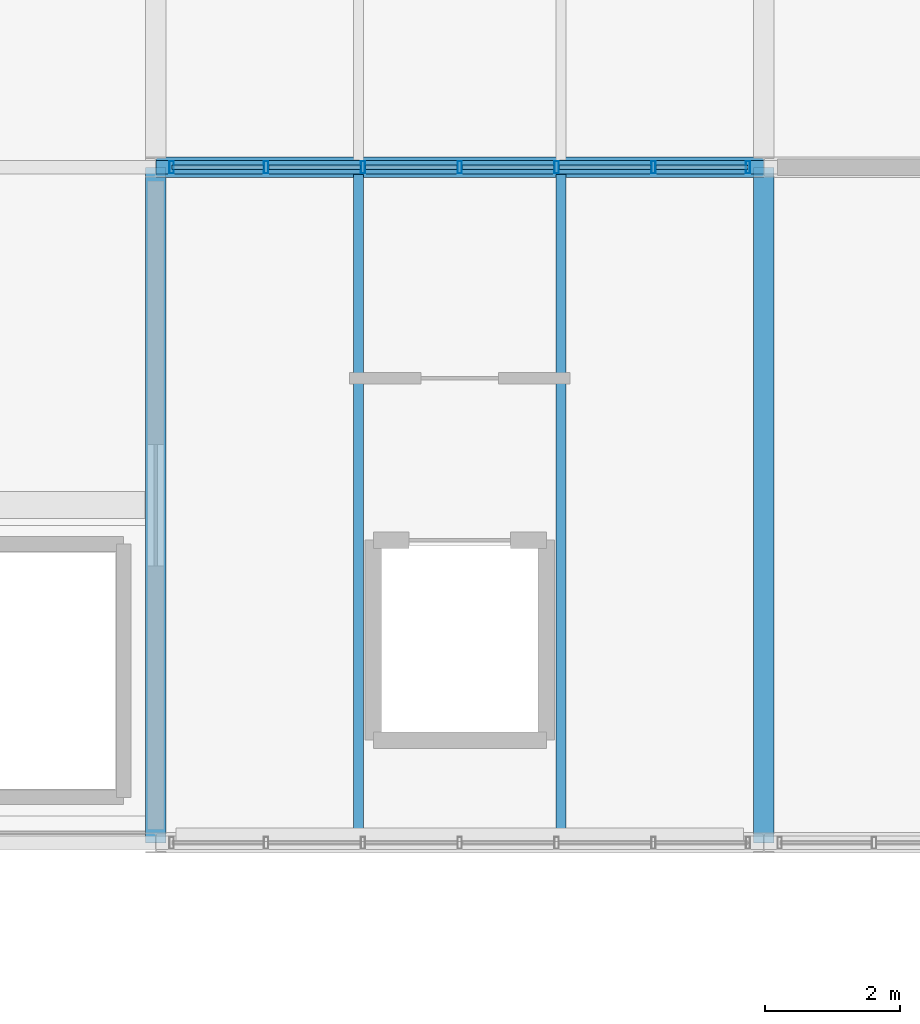
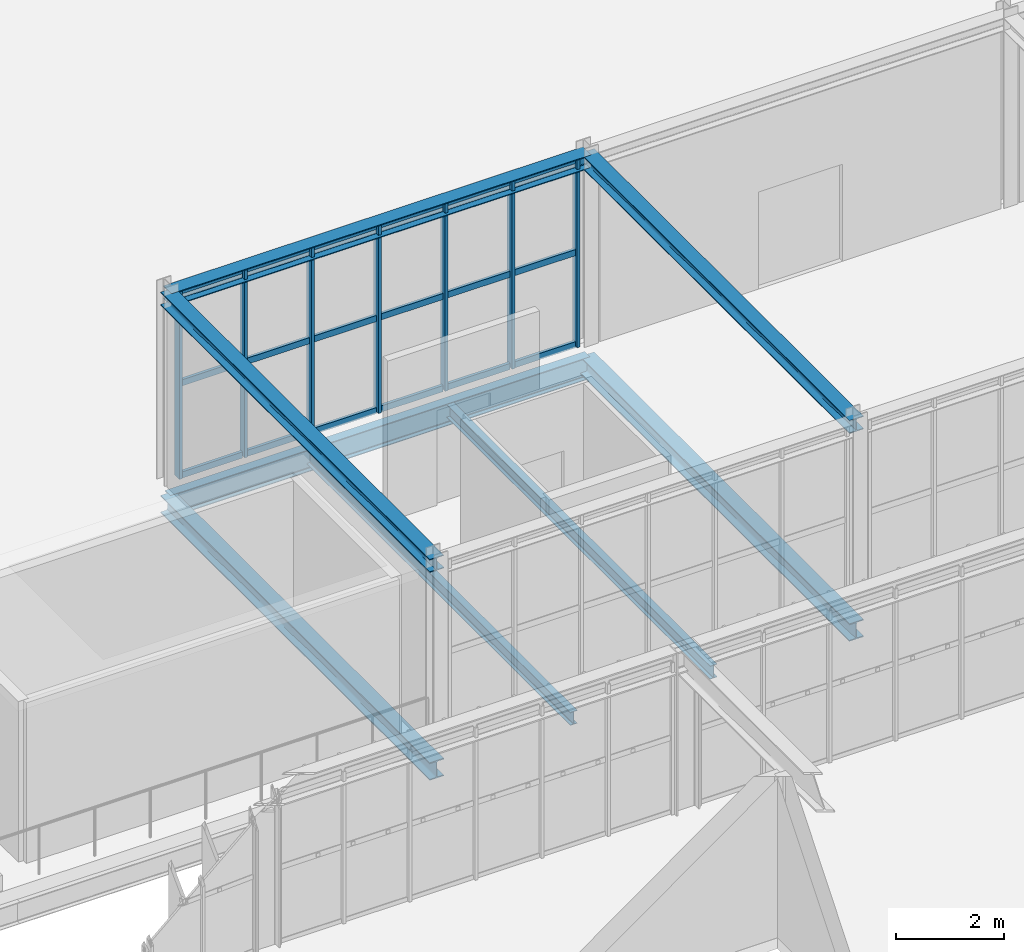
# One storey, part 60 of 152: 25 members, 8 beams, 1 element without a shape of its own.
"""IFC4 building model written with IfcOpenShell, lengths in metres."""

import ifcopenshell
import ifcopenshell.guid

model = None  # the IFC model being written
_history = None  # IfcOwnerHistory: only IFC2X3 demands one
_inside = {}  # id of a spatial element -> (the spatial element, [elements in it])
_under = {}  # id of a project, library or spatial element -> (it, [spatial elements below it])
_declared = {}  # id of a project -> (the project, [libraries it declares])
_typed = {}  # id of a type object -> (the type object, [elements of that type])
_made_of = {}  # id of a material, layer set ... -> (it, [elements and type objects made of it])


def new_model(schema):
    """Start an empty IFC model of exactly this schema.

    Asked for "IFC4X3", IfcOpenShell would pick the latest addendum, in which some entities
    have other attributes; the version numbers below select the first issue.
    IFC2X3 requires an IfcOwnerHistory on every rooted entity: one is made here for all.
    """
    global model, _history
    if schema == "IFC4X3":
        model = ifcopenshell.file(schema_version=(4, 3, 0, 0))
    else:
        model = ifcopenshell.file(schema=schema)
    _inside.clear()
    _under.clear()
    _declared.clear()
    _typed.clear()
    _made_of.clear()
    _history = None
    if model.schema == "IFC2X3":
        org = make("IfcOrganization", Name="unknown")
        user = make(
            "IfcPersonAndOrganization",
            ThePerson=make("IfcPerson", FamilyName="unknown"),
            TheOrganization=org,
        )
        app = make(
            "IfcApplication",
            ApplicationDeveloper=org,
            Version="unknown",
            ApplicationFullName="unknown",
            ApplicationIdentifier="unknown",
        )
        _history = make(
            "IfcOwnerHistory",
            OwningUser=user,
            OwningApplication=app,
            ChangeAction="ADDED",
            CreationDate=0,
        )
    return model


def make(cls, **values):
    """One entity of the class cls with the attributes given. An attribute that is None is left unset."""
    return model.create_entity(
        cls, **{name: value for name, value in values.items() if value is not None}
    )


def rooted(cls, **values):
    """An entity with a GlobalId (a new one), such as an element, a storey or a relation."""
    return make(cls, GlobalId=ifcopenshell.guid.new(), OwnerHistory=_history, **values)


def si_unit(unit_type, name, prefix=None):
    """IfcSIUnit, for example si_unit("LENGTHUNIT", "METRE", prefix="MILLI")."""
    return make("IfcSIUnit", UnitType=unit_type, Prefix=prefix, Name=name)


def derived_unit(unit_type, elements):
    """IfcDerivedUnit: a product of units, each with its exponent."""
    return make(
        "IfcDerivedUnit",
        Elements=[
            make("IfcDerivedUnitElement", Unit=unit, Exponent=power)
            for unit, power in elements
        ],
        UnitType=unit_type,
    )


def assignment(units):
    """IfcUnitAssignment: the units of a project."""
    return None if units is None else make("IfcUnitAssignment", Units=units)


def point(xyz):
    """IfcCartesianPoint."""
    return None if xyz is None else make("IfcCartesianPoint", Coordinates=xyz)


def direction(xyz):
    """IfcDirection."""
    return None if xyz is None else make("IfcDirection", DirectionRatios=xyz)


def frame(location, z_axis=None, x_axis=None):
    """IfcAxis2Placement3D, a coordinate frame: its origin and axes. An axis left out is left unset."""
    return make(
        "IfcAxis2Placement3D",
        Location=point(location),
        Axis=direction(z_axis),
        RefDirection=direction(x_axis),
    )


def frame_2d(location, x_axis=None):
    """IfcAxis2Placement2D, a coordinate frame in the plane: its origin and x axis."""
    return make(
        "IfcAxis2Placement2D", Location=point(location), RefDirection=direction(x_axis)
    )


def origin():
    """The frame at (0, 0, 0) with its axes left unset."""
    return frame((0.0, 0.0, 0.0))


def origin_2d():
    """The frame at (0, 0) in the plane with its x axis left unset."""
    return frame_2d((0.0, 0.0))


def place(relative_to, where):
    """IfcLocalPlacement: puts the frame where relative to a parent placement (None: the world)."""
    return make(
        "IfcLocalPlacement", PlacementRelTo=relative_to, RelativePlacement=where
    )


def context(
    kind, dimensions, precision=None, world=None, true_north=None, identifier=None
):
    """IfcGeometricRepresentationContext, for example the 3D "Model" context."""
    return make(
        "IfcGeometricRepresentationContext",
        ContextIdentifier=identifier,
        ContextType=kind,
        CoordinateSpaceDimension=dimensions,
        Precision=precision,
        WorldCoordinateSystem=world,
        TrueNorth=true_north,
    )


def subcontext(parent, identifier, kind, view, scale=None):
    """IfcGeometricRepresentationSubContext, for example "Body" below "Model"."""
    return make(
        "IfcGeometricRepresentationSubContext",
        ContextIdentifier=identifier,
        ContextType=kind,
        ParentContext=parent,
        TargetScale=scale,
        TargetView=view,
    )


def project(units=None, contexts=None):
    """IfcProject with its units and contexts."""
    return rooted(
        "IfcProject",
        Name="project",
        RepresentationContexts=contexts,
        UnitsInContext=assignment(units),
    )


def spatial(cls, under=None, at=None, **own):
    """A site, building, storey or space (cls), placed at a placement, below another one or the project."""
    s = rooted(cls, ObjectPlacement=at, **own)
    if under is not None:
        _under.setdefault(under.id(), (under, []))[1].append(s)
    return s


def profile(cls, at=None, kind="AREA", **sizes):
    """A parametric profile (cls). Its sizes go by their IFC names, for example OverallWidth=200.0."""
    return make(cls, ProfileType=kind, Position=at, **sizes)


def hollow_rectangle(**sizes):
    """IfcRectangleHollowProfileDef."""
    return profile("IfcRectangleHollowProfileDef", **sizes)


def i_section(**sizes):
    """IfcIShapeProfileDef."""
    return profile("IfcIShapeProfileDef", **sizes)


def extrude(swept, where, along, depth):
    """IfcExtrudedAreaSolid: the profile swept, set in the frame where, extruded along a direction by depth."""
    return make(
        "IfcExtrudedAreaSolid",
        SweptArea=swept,
        Position=where,
        ExtrudedDirection=direction(along),
        Depth=depth,
    )


def shape(context_of_items, identifier, shape_type, items):
    """IfcShapeRepresentation: the items that make up one representation, for example the "Body"."""
    return make(
        "IfcShapeRepresentation",
        ContextOfItems=context_of_items,
        RepresentationIdentifier=identifier,
        RepresentationType=shape_type,
        Items=items,
    )


def material(Name=None, Category=None):
    """IfcMaterial."""
    return make("IfcMaterial", Name=Name, Category=Category)


def material_profile(
    of_material, cross_section, Name=None, Category=None, Priority=None
):
    """IfcMaterialProfile: a cross section and its material."""
    return make(
        "IfcMaterialProfile",
        Name=Name,
        Material=of_material,
        Profile=cross_section,
        Priority=Priority,
        Category=Category,
    )


def profile_set(profiles, Name=None, composite=None):
    """IfcMaterialProfileSet."""
    return make(
        "IfcMaterialProfileSet",
        Name=Name,
        MaterialProfiles=profiles,
        CompositeProfile=composite,
    )


def made_of(thing, what):
    """Note that an element or type object is made of a material, layer set ...; save() writes the relation."""
    if what is not None:
        _made_of.setdefault(what.id(), (what, []))[1].append(thing)
    return thing


def type_object(cls, material=None, **own):
    """A type object (cls), such as IfcWallType, which elements share."""
    return made_of(rooted(cls, **own), material)


def element(
    cls,
    number,
    at=None,
    inside=None,
    cuts=None,
    type_object=None,
    material=None,
    context=None,
    identifier="Body",
    shape_type=None,
    held_by="IfcProductDefinitionShape",
    body=None,
    shapes=None,
    **own,
):
    """One element of the class cls, such as IfcWall. Its Tag is "e" and its number.

    at: its placement. inside: the storey or other place that contains it. cuts: it is an
    opening in that element (IfcRelVoidsElement). A single representation is given by context,
    identifier, shape_type and body (its items); several are given by shapes. held_by: the class
    of the entity that holds the representations. save() writes the other relations.
    """
    e = rooted(cls, Tag="e%d" % number, ObjectPlacement=at, **own)
    if body is not None:
        shapes = [shape(context, identifier, shape_type, body)]
    if shapes is not None:
        e.Representation = make(held_by, Representations=shapes)
    if inside is not None:
        _inside.setdefault(inside.id(), (inside, []))[1].append(e)
    if cuts is not None:
        rooted(
            "IfcRelVoidsElement", RelatingBuildingElement=cuts, RelatedOpeningElement=e
        )
    if type_object is not None:
        _typed.setdefault(type_object.id(), (type_object, []))[1].append(e)
    return made_of(e, material)


def aggregate(whole, parts):
    """IfcRelAggregates: a whole, such as a stair, and the parts it consists of."""
    return rooted("IfcRelAggregates", RelatingObject=whole, RelatedObjects=parts)


def save(model, path):
    """Write the relations noted so far, then the file.

    IfcRelAggregates (storeys below a building ...), IfcRelContainedInSpatialStructure (elements
    in a storey), IfcRelDefinesByType, IfcRelAssociatesMaterial and IfcRelDeclares: one each for
    every whole, place, type object, material and project.
    """
    for whole, parts in _under.values():
        aggregate(whole, parts)
    for where, things in _inside.values():
        rooted(
            "IfcRelContainedInSpatialStructure",
            RelatedElements=things,
            RelatingStructure=where,
        )
    for kind, things in _typed.values():
        rooted("IfcRelDefinesByType", RelatedObjects=things, RelatingType=kind)
    for what, things in _made_of.values():
        rooted("IfcRelAssociatesMaterial", RelatedObjects=things, RelatingMaterial=what)
    for by, libraries in _declared.values():
        rooted("IfcRelDeclares", RelatingContext=by, RelatedDefinitions=libraries)
    model.write(path)


model = new_model("IFC4")

# Units and contexts
model_context = context("Model", 3, precision=1e-05, world=origin(), true_north=direction((0.0, 1.0)))
body_context = subcontext(model_context, "Body", "Model", "MODEL_VIEW")
ifc_project = project(units=[si_unit("LENGTHUNIT", "METRE"), si_unit("AREAUNIT", "SQUARE_METRE"), si_unit("VOLUMEUNIT", "CUBIC_METRE"), si_unit("PLANEANGLEUNIT", "RADIAN"), si_unit("MASSUNIT", "GRAM", prefix="KILO"), si_unit("THERMODYNAMICTEMPERATUREUNIT", "KELVIN"), si_unit("TIMEUNIT", "SECOND"), derived_unit("THERMALTRANSMITTANCEUNIT", [(si_unit("MASSUNIT", "GRAM", prefix="KILO"), 1), (si_unit("THERMODYNAMICTEMPERATUREUNIT", "KELVIN"), -1), (si_unit("TIMEUNIT", "SECOND"), -3)])], contexts=[model_context])

# Site, building, storey
site_placement = place(None, origin())
site = spatial("IfcSite", under=ifc_project, at=site_placement, CompositionType="ELEMENT")
building_placement = place(site_placement, origin())
building = spatial("IfcBuilding", under=site, at=building_placement, Name="Cambertide Market Hall", CompositionType="ELEMENT")
storey_placement = place(building_placement, frame((0.0, 0.0, 5.39990234375)))
storey = spatial("IfcBuildingStorey", under=building, at=storey_placement, Name="L02", CompositionType="ELEMENT", Elevation=5.39990234375)

# Curtain wall, members
ifc_material_1 = material(Name="Marine Anodized Aluminium 6063-T6 AA25", Category="aluminium")
curtain_wall_type = type_object("IfcCurtainWallType", Name="Herb Tea Pavilion Terrace Glazed Wall", PredefinedType="USERDEFINED", material=ifc_material_1)
curtain_wall_placement = place(storey_placement, origin())
curtain_wall = element("IfcCurtainWall", 1, at=curtain_wall_placement, inside=storey, type_object=curtain_wall_type, Name="Level 2 Curtain Wall CW-V2PAV-N-4", ObjectType="UNITIZED CURTAIN WALL", PredefinedType="USERDEFINED")
ifc_material_2 = material(Name="Champagne Marine Anodized Aluminium 6063-T6 AA25", Category="aluminium")
ifc_material_profile_1 = material_profile(ifc_material_2, hollow_rectangle(XDim=0.06494140625, YDim=0.179931640625, WallThickness=0.00390625, at=origin_2d()), Name="ALU MULLION 65x180")
ifc_profile_set_1 = profile_set([ifc_material_profile_1], Name="Champagne Marine Anodized Aluminium 6063-T6 AA25")
member_type_1 = type_object("IfcMemberType", Name="Curtain Wall Mullion ALU MULLION 65x180", PredefinedType="MULLION", material=ifc_profile_set_1)
member_1_placement = place(storey_placement, frame((48.235107421875, 106.0, 0.0), z_axis=(0.0, 0.0, 1.0), x_axis=(1.0, 0.0, 0.0)))
member_1 = element("IfcMember", 2, at=member_1_placement, type_object=member_type_1, Name="CW-V2PAV-N-4 Mullion 1", PredefinedType="MULLION", context=body_context, shape_type="SweptSolid", body=[
    extrude(hollow_rectangle(XDim=0.06494140625, YDim=0.179931640625, WallThickness=0.00390625, at=origin_2d()), origin(), (0.0, 0.0, 1.0), 4.25),
])
member_2_placement = place(storey_placement, frame((49.63330078125, 106.0, 0.0), z_axis=(0.0, 0.0, 1.0), x_axis=(1.0, 0.0, 0.0)))
member_2 = element("IfcMember", 3, at=member_2_placement, type_object=member_type_1, Name="CW-V2PAV-N-4 Mullion 2", PredefinedType="MULLION", context=body_context, shape_type="SweptSolid", body=[
    extrude(hollow_rectangle(XDim=0.06494140625, YDim=0.179931640625, WallThickness=0.00390625, at=origin_2d()), origin(), (0.0, 0.0, 1.0), 4.25),
])
member_3_placement = place(storey_placement, frame((51.066650390625, 106.0, 0.0), z_axis=(0.0, 0.0, 1.0), x_axis=(1.0, 0.0, 0.0)))
member_3 = element("IfcMember", 4, at=member_3_placement, type_object=member_type_1, Name="CW-V2PAV-N-4 Mullion 3", PredefinedType="MULLION", context=body_context, shape_type="SweptSolid", body=[
    extrude(hollow_rectangle(XDim=0.06494140625, YDim=0.179931640625, WallThickness=0.00390625, at=origin_2d()), origin(), (0.0, 0.0, 1.0), 4.25),
])
member_4_placement = place(storey_placement, frame((52.5, 106.0, 0.0), z_axis=(0.0, 0.0, 1.0), x_axis=(1.0, 0.0, 0.0)))
member_4 = element("IfcMember", 5, at=member_4_placement, type_object=member_type_1, Name="CW-V2PAV-N-4 Mullion 4", PredefinedType="MULLION", context=body_context, shape_type="SweptSolid", body=[
    extrude(hollow_rectangle(XDim=0.06494140625, YDim=0.179931640625, WallThickness=0.00390625, at=origin_2d()), origin(), (0.0, 0.0, 1.0), 4.25),
])
member_5_placement = place(storey_placement, frame((53.933349609375, 106.0, 0.0), z_axis=(0.0, 0.0, 1.0), x_axis=(1.0, 0.0, 0.0)))
member_5 = element("IfcMember", 6, at=member_5_placement, type_object=member_type_1, Name="CW-V2PAV-N-4 Mullion 5", PredefinedType="MULLION", context=body_context, shape_type="SweptSolid", body=[
    extrude(hollow_rectangle(XDim=0.06494140625, YDim=0.179931640625, WallThickness=0.00390625, at=origin_2d()), origin(), (0.0, 0.0, 1.0), 4.25),
])
member_6_placement = place(storey_placement, frame((55.36669921875, 106.0, 0.0), z_axis=(0.0, 0.0, 1.0), x_axis=(1.0, 0.0, 0.0)))
member_6 = element("IfcMember", 7, at=member_6_placement, type_object=member_type_1, Name="CW-V2PAV-N-4 Mullion 6", PredefinedType="MULLION", context=body_context, shape_type="SweptSolid", body=[
    extrude(hollow_rectangle(XDim=0.06494140625, YDim=0.179931640625, WallThickness=0.00390625, at=origin_2d()), origin(), (0.0, 0.0, 1.0), 4.25),
])
member_7_placement = place(storey_placement, frame((56.764892578125, 106.0, 0.0), z_axis=(0.0, 0.0, 1.0), x_axis=(1.0, 0.0, 0.0)))
member_7 = element("IfcMember", 8, at=member_7_placement, type_object=member_type_1, Name="CW-V2PAV-N-4 Mullion 7", PredefinedType="MULLION", context=body_context, shape_type="SweptSolid", body=[
    extrude(hollow_rectangle(XDim=0.06494140625, YDim=0.179931640625, WallThickness=0.00390625, at=origin_2d()), origin(), (0.0, 0.0, 1.0), 4.25),
])
ifc_material_3 = material(Name="Champagne Marine Anodized Aluminium 6063-T6 AA25", Category="aluminium")
ifc_material_profile_2 = material_profile(ifc_material_3, hollow_rectangle(XDim=0.06494140625, YDim=0.139892578125, WallThickness=0.00341796875, at=origin_2d()), Name="ALU TRANSOM 65x140")
ifc_profile_set_2 = profile_set([ifc_material_profile_2], Name="Champagne Marine Anodized Aluminium 6063-T6 AA25")
member_type_2 = type_object("IfcMemberType", Name="Curtain Wall Transom ALU TRANSOM 65x140", PredefinedType="USERDEFINED", material=ifc_profile_set_2)
member_8_placement = place(storey_placement, frame((48.239990234375, 106.0, 0.03515625), z_axis=(1.0, 0.0, 0.0), x_axis=(0.0, 1.0, 0.0)))
member_8 = element("IfcMember", 9, at=member_8_placement, type_object=member_type_2, Name="CW-V2PAV-N-4 Transom 1-1", ObjectType="TRANSOM", PredefinedType="USERDEFINED", context=body_context, shape_type="SweptSolid", body=[
    extrude(hollow_rectangle(XDim=0.06494140625, YDim=0.139892578125, WallThickness=0.00341796875, at=origin_2d()), origin(), (0.0, 0.0, 1.0), 1.353271484375),
])
member_9_placement = place(storey_placement, frame((49.67333984375, 106.0, 0.03515625), z_axis=(1.0, 0.0, 0.0), x_axis=(0.0, 1.0, 0.0)))
member_9 = element("IfcMember", 10, at=member_9_placement, type_object=member_type_2, Name="CW-V2PAV-N-4 Transom 1-2", ObjectType="TRANSOM", PredefinedType="USERDEFINED", context=body_context, shape_type="SweptSolid", body=[
    extrude(hollow_rectangle(XDim=0.06494140625, YDim=0.139892578125, WallThickness=0.00341796875, at=origin_2d()), origin(), (0.0, 0.0, 1.0), 1.353271484375),
])
member_10_placement = place(storey_placement, frame((51.106689453125, 106.0, 0.03515625), z_axis=(1.0, 0.0, 0.0), x_axis=(0.0, 1.0, 0.0)))
member_10 = element("IfcMember", 11, at=member_10_placement, type_object=member_type_2, Name="CW-V2PAV-N-4 Transom 1-3", ObjectType="TRANSOM", PredefinedType="USERDEFINED", context=body_context, shape_type="SweptSolid", body=[
    extrude(hollow_rectangle(XDim=0.06494140625, YDim=0.139892578125, WallThickness=0.00341796875, at=origin_2d()), origin(), (0.0, 0.0, 1.0), 1.353271484375),
])
member_11_placement = place(storey_placement, frame((52.5400390625, 106.0, 0.03515625), z_axis=(1.0, 0.0, 0.0), x_axis=(0.0, 1.0, 0.0)))
member_11 = element("IfcMember", 12, at=member_11_placement, type_object=member_type_2, Name="CW-V2PAV-N-4 Transom 1-4", ObjectType="TRANSOM", PredefinedType="USERDEFINED", context=body_context, shape_type="SweptSolid", body=[
    extrude(hollow_rectangle(XDim=0.06494140625, YDim=0.139892578125, WallThickness=0.00341796875, at=origin_2d()), origin(), (0.0, 0.0, 1.0), 1.353271484375),
])
member_12_placement = place(storey_placement, frame((53.973388671875, 106.0, 0.03515625), z_axis=(1.0, 0.0, 0.0), x_axis=(0.0, 1.0, 0.0)))
member_12 = element("IfcMember", 13, at=member_12_placement, type_object=member_type_2, Name="CW-V2PAV-N-4 Transom 1-5", ObjectType="TRANSOM", PredefinedType="USERDEFINED", context=body_context, shape_type="SweptSolid", body=[
    extrude(hollow_rectangle(XDim=0.06494140625, YDim=0.139892578125, WallThickness=0.00341796875, at=origin_2d()), origin(), (0.0, 0.0, 1.0), 1.353271484375),
])
member_13_placement = place(storey_placement, frame((55.40673828125, 106.0, 0.03515625), z_axis=(1.0, 0.0, 0.0), x_axis=(0.0, 1.0, 0.0)))
member_13 = element("IfcMember", 14, at=member_13_placement, type_object=member_type_2, Name="CW-V2PAV-N-4 Transom 1-6", ObjectType="TRANSOM", PredefinedType="USERDEFINED", context=body_context, shape_type="SweptSolid", body=[
    extrude(hollow_rectangle(XDim=0.06494140625, YDim=0.139892578125, WallThickness=0.00341796875, at=origin_2d()), origin(), (0.0, 0.0, 1.0), 1.353271484375),
])
member_14_placement = place(storey_placement, frame((48.239990234375, 106.0, 2.125), z_axis=(1.0, 0.0, 0.0), x_axis=(0.0, 1.0, 0.0)))
member_14 = element("IfcMember", 15, at=member_14_placement, type_object=member_type_2, Name="CW-V2PAV-N-4 Transom 2-1", ObjectType="TRANSOM", PredefinedType="USERDEFINED", context=body_context, shape_type="SweptSolid", body=[
    extrude(hollow_rectangle(XDim=0.06494140625, YDim=0.139892578125, WallThickness=0.00341796875, at=origin_2d()), origin(), (0.0, 0.0, 1.0), 1.353271484375),
])
member_15_placement = place(storey_placement, frame((49.67333984375, 106.0, 2.125), z_axis=(1.0, 0.0, 0.0), x_axis=(0.0, 1.0, 0.0)))
member_15 = element("IfcMember", 16, at=member_15_placement, type_object=member_type_2, Name="CW-V2PAV-N-4 Transom 2-2", ObjectType="TRANSOM", PredefinedType="USERDEFINED", context=body_context, shape_type="SweptSolid", body=[
    extrude(hollow_rectangle(XDim=0.06494140625, YDim=0.139892578125, WallThickness=0.00341796875, at=origin_2d()), origin(), (0.0, 0.0, 1.0), 1.353271484375),
])
member_16_placement = place(storey_placement, frame((51.106689453125, 106.0, 2.125), z_axis=(1.0, 0.0, 0.0), x_axis=(0.0, 1.0, 0.0)))
member_16 = element("IfcMember", 17, at=member_16_placement, type_object=member_type_2, Name="CW-V2PAV-N-4 Transom 2-3", ObjectType="TRANSOM", PredefinedType="USERDEFINED", context=body_context, shape_type="SweptSolid", body=[
    extrude(hollow_rectangle(XDim=0.06494140625, YDim=0.139892578125, WallThickness=0.00341796875, at=origin_2d()), origin(), (0.0, 0.0, 1.0), 1.353271484375),
])
member_17_placement = place(storey_placement, frame((52.5400390625, 106.0, 2.125), z_axis=(1.0, 0.0, 0.0), x_axis=(0.0, 1.0, 0.0)))
member_17 = element("IfcMember", 18, at=member_17_placement, type_object=member_type_2, Name="CW-V2PAV-N-4 Transom 2-4", ObjectType="TRANSOM", PredefinedType="USERDEFINED", context=body_context, shape_type="SweptSolid", body=[
    extrude(hollow_rectangle(XDim=0.06494140625, YDim=0.139892578125, WallThickness=0.00341796875, at=origin_2d()), origin(), (0.0, 0.0, 1.0), 1.353271484375),
])
member_18_placement = place(storey_placement, frame((53.973388671875, 106.0, 2.125), z_axis=(1.0, 0.0, 0.0), x_axis=(0.0, 1.0, 0.0)))
member_18 = element("IfcMember", 19, at=member_18_placement, type_object=member_type_2, Name="CW-V2PAV-N-4 Transom 2-5", ObjectType="TRANSOM", PredefinedType="USERDEFINED", context=body_context, shape_type="SweptSolid", body=[
    extrude(hollow_rectangle(XDim=0.06494140625, YDim=0.139892578125, WallThickness=0.00341796875, at=origin_2d()), origin(), (0.0, 0.0, 1.0), 1.353271484375),
])
member_19_placement = place(storey_placement, frame((55.40673828125, 106.0, 2.125), z_axis=(1.0, 0.0, 0.0), x_axis=(0.0, 1.0, 0.0)))
member_19 = element("IfcMember", 20, at=member_19_placement, type_object=member_type_2, Name="CW-V2PAV-N-4 Transom 2-6", ObjectType="TRANSOM", PredefinedType="USERDEFINED", context=body_context, shape_type="SweptSolid", body=[
    extrude(hollow_rectangle(XDim=0.06494140625, YDim=0.139892578125, WallThickness=0.00341796875, at=origin_2d()), origin(), (0.0, 0.0, 1.0), 1.353271484375),
])
member_20_placement = place(storey_placement, frame((48.239990234375, 106.0, 4.215087890625), z_axis=(1.0, 0.0, 0.0), x_axis=(0.0, 1.0, 0.0)))
member_20 = element("IfcMember", 21, at=member_20_placement, type_object=member_type_2, Name="CW-V2PAV-N-4 Transom 3-1", ObjectType="TRANSOM", PredefinedType="USERDEFINED", context=body_context, shape_type="SweptSolid", body=[
    extrude(hollow_rectangle(XDim=0.06494140625, YDim=0.139892578125, WallThickness=0.00341796875, at=origin_2d()), origin(), (0.0, 0.0, 1.0), 1.353271484375),
])
member_21_placement = place(storey_placement, frame((49.67333984375, 106.0, 4.215087890625), z_axis=(1.0, 0.0, 0.0), x_axis=(0.0, 1.0, 0.0)))
member_21 = element("IfcMember", 22, at=member_21_placement, type_object=member_type_2, Name="CW-V2PAV-N-4 Transom 3-2", ObjectType="TRANSOM", PredefinedType="USERDEFINED", context=body_context, shape_type="SweptSolid", body=[
    extrude(hollow_rectangle(XDim=0.06494140625, YDim=0.139892578125, WallThickness=0.00341796875, at=origin_2d()), origin(), (0.0, 0.0, 1.0), 1.353271484375),
])
member_22_placement = place(storey_placement, frame((51.106689453125, 106.0, 4.215087890625), z_axis=(1.0, 0.0, 0.0), x_axis=(0.0, 1.0, 0.0)))
member_22 = element("IfcMember", 23, at=member_22_placement, type_object=member_type_2, Name="CW-V2PAV-N-4 Transom 3-3", ObjectType="TRANSOM", PredefinedType="USERDEFINED", context=body_context, shape_type="SweptSolid", body=[
    extrude(hollow_rectangle(XDim=0.06494140625, YDim=0.139892578125, WallThickness=0.00341796875, at=origin_2d()), origin(), (0.0, 0.0, 1.0), 1.353271484375),
])
member_23_placement = place(storey_placement, frame((52.5400390625, 106.0, 4.215087890625), z_axis=(1.0, 0.0, 0.0), x_axis=(0.0, 1.0, 0.0)))
member_23 = element("IfcMember", 24, at=member_23_placement, type_object=member_type_2, Name="CW-V2PAV-N-4 Transom 3-4", ObjectType="TRANSOM", PredefinedType="USERDEFINED", context=body_context, shape_type="SweptSolid", body=[
    extrude(hollow_rectangle(XDim=0.06494140625, YDim=0.139892578125, WallThickness=0.00341796875, at=origin_2d()), origin(), (0.0, 0.0, 1.0), 1.353271484375),
])
member_24_placement = place(storey_placement, frame((53.973388671875, 106.0, 4.215087890625), z_axis=(1.0, 0.0, 0.0), x_axis=(0.0, 1.0, 0.0)))
member_24 = element("IfcMember", 25, at=member_24_placement, type_object=member_type_2, Name="CW-V2PAV-N-4 Transom 3-5", ObjectType="TRANSOM", PredefinedType="USERDEFINED", context=body_context, shape_type="SweptSolid", body=[
    extrude(hollow_rectangle(XDim=0.06494140625, YDim=0.139892578125, WallThickness=0.00341796875, at=origin_2d()), origin(), (0.0, 0.0, 1.0), 1.353271484375),
])
member_25_placement = place(storey_placement, frame((55.40673828125, 106.0, 4.215087890625), z_axis=(1.0, 0.0, 0.0), x_axis=(0.0, 1.0, 0.0)))
member_25 = element("IfcMember", 26, at=member_25_placement, type_object=member_type_2, Name="CW-V2PAV-N-4 Transom 3-6", ObjectType="TRANSOM", PredefinedType="USERDEFINED", context=body_context, shape_type="SweptSolid", body=[
    extrude(hollow_rectangle(XDim=0.06494140625, YDim=0.139892578125, WallThickness=0.00341796875, at=origin_2d()), origin(), (0.0, 0.0, 1.0), 1.353271484375),
])
aggregate(curtain_wall, [member_1, member_2, member_3, member_4, member_5, member_6, member_7, member_8, member_9, member_10, member_11, member_12, member_13, member_14, member_15, member_16, member_17, member_18, member_19, member_20, member_21, member_22, member_23, member_24, member_25])

# Beams
ifc_material_4 = material(Name="Steel S355", Category="steel")
ifc_material_profile_3 = material_profile(ifc_material_4, i_section(OverallWidth=0.300048828125, OverallDepth=0.300048828125, WebThickness=0.010986328125, FlangeThickness=0.01904296875, FilletRadius=0.027099609375, at=origin_2d()), Name="HEB 300")
ifc_profile_set_3 = profile_set([ifc_material_profile_3], Name="Steel S355")
beam_type_1 = type_object("IfcBeamType", Name="Exterior Steel Girder HEB 300", PredefinedType="BEAM", material=ifc_profile_set_3)
beam_1_placement = place(storey_placement, frame((48.0, 106.0, 4.170166015625), z_axis=(1.0, 0.0, 0.0), x_axis=(0.0, 1.0, 0.0)))
element("IfcBeam", 27, at=beam_1_placement, inside=storey, type_object=beam_type_1, Name="Level 2 Beam BM-V2PAV-X-4-1", PredefinedType="BEAM", context=body_context, shape_type="SweptSolid", body=[
    extrude(i_section(OverallWidth=0.300048828125, OverallDepth=0.300048828125, WebThickness=0.010986328125, FlangeThickness=0.01904296875, FilletRadius=0.027099609375, at=origin_2d()), origin(), (0.0, 0.0, 1.0), 9.0),
])
for number, where, z_axis, x_axis, name in (
    (28, (48.0, 96.0, 4.170166015625), (0.0, 1.0, 0.0), (-1.0, 0.0, 0.0), "Level 2 Beam BM-V2PAV-Y-4"),
    (29, (57.0, 96.0, 4.170166015625), (0.0, 1.0, 0.0), (-1.0, 0.0, 0.0), "Level 2 Beam BM-V2PAV-Y-5"),
):
    element("IfcBeam", number, at=place(storey_placement, frame(where, z_axis=z_axis, x_axis=x_axis)), inside=storey, type_object=beam_type_1, Name=name, PredefinedType="BEAM", context=body_context, shape_type="SweptSolid", body=[
        extrude(i_section(OverallWidth=0.300048828125, OverallDepth=0.300048828125, WebThickness=0.010986328125, FlangeThickness=0.01904296875, FilletRadius=0.027099609375, at=origin_2d()), origin(), (0.0, 0.0, 1.0), 10.0),
    ])
ifc_material_5 = material(Name="Steel S355", Category="steel")
ifc_material_profile_4 = material_profile(ifc_material_5, i_section(OverallWidth=0.300048828125, OverallDepth=0.39990234375, WebThickness=0.013427734375, FlangeThickness=0.02392578125, FilletRadius=0.027099609375, at=origin_2d()), Name="HEB 400")
ifc_profile_set_4 = profile_set([ifc_material_profile_4], Name="Steel S355")
beam_type_2 = type_object("IfcBeamType", Name="Steel Girder HEB 400", PredefinedType="BEAM", material=ifc_profile_set_4)
for number, where, z_axis, x_axis, name in (
    (30, (48.0, 96.0, -0.489990234375), (0.0, 1.0, 0.0), (-1.0, 0.0, 0.0), "Level 2 Beam BM-V2Y-L02-5-1"),
    (31, (57.0, 96.0, -0.489990234375), (0.0, 1.0, 0.0), (-1.0, 0.0, 0.0), "Level 2 Beam BM-V2Y-L02-6-1"),
):
    element("IfcBeam", number, at=place(storey_placement, frame(where, z_axis=z_axis, x_axis=x_axis)), inside=storey, type_object=beam_type_2, Name=name, PredefinedType="BEAM", context=body_context, shape_type="SweptSolid", body=[
        extrude(i_section(OverallWidth=0.300048828125, OverallDepth=0.39990234375, WebThickness=0.013427734375, FlangeThickness=0.02392578125, FilletRadius=0.027099609375, at=origin_2d()), origin(), (0.0, 0.0, 1.0), 10.0),
    ])
ifc_material_6 = material(Name="Steel S355", Category="steel")
ifc_material_profile_5 = material_profile(ifc_material_6, i_section(OverallWidth=0.199951171875, OverallDepth=0.5, WebThickness=0.01025390625, FlangeThickness=0.01611328125, FilletRadius=0.02099609375, at=origin_2d()), Name="IPE 500")
ifc_profile_set_5 = profile_set([ifc_material_profile_5], Name="Steel S355")
beam_type_3 = type_object("IfcBeamType", Name="Steel Girder IPE 500", PredefinedType="BEAM", material=ifc_profile_set_5)
beam_2_placement = place(storey_placement, frame((48.0, 106.0, -0.539794921875), z_axis=(1.0, 0.0, 0.0), x_axis=(0.0, 1.0, 0.0)))
element("IfcBeam", 32, at=beam_2_placement, inside=storey, type_object=beam_type_3, Name="Level 2 Beam BM-V2X-L02-5-2", PredefinedType="BEAM", context=body_context, shape_type="SweptSolid", body=[
    extrude(i_section(OverallWidth=0.199951171875, OverallDepth=0.5, WebThickness=0.01025390625, FlangeThickness=0.01611328125, FilletRadius=0.02099609375, at=origin_2d()), origin(), (0.0, 0.0, 1.0), 9.0),
])
ifc_material_7 = material(Name="Steel S275", Category="steel")
ifc_material_profile_6 = material_profile(ifc_material_7, i_section(OverallWidth=0.14990234375, OverallDepth=0.300048828125, WebThickness=0.007080078125, FlangeThickness=0.0107421875, FilletRadius=0.014892578125, at=origin_2d()), Name="IPE 300")
ifc_profile_set_6 = profile_set([ifc_material_profile_6], Name="Steel S275")
beam_type_4 = type_object("IfcBeamType", Name="Steel Secondary Joist IPE 300", PredefinedType="JOIST", material=ifc_profile_set_6)
for number, where, z_axis, x_axis, name in (
    (33, (51.0, 96.10791015625, -0.43994140625), (0.0, 1.0, 0.0), (-1.0, 0.0, 0.0), "Level 2 Joist JS-V2-L02-5-1-1"),
    (34, (54.0, 96.10791015625, -0.43994140625), (0.0, 1.0, 0.0), (-1.0, 0.0, 0.0), "Level 2 Joist JS-V2-L02-5-1-2"),
):
    element("IfcBeam", number, at=place(storey_placement, frame(where, z_axis=z_axis, x_axis=x_axis)), inside=storey, type_object=beam_type_4, Name=name, PredefinedType="JOIST", context=body_context, shape_type="SweptSolid", body=[
        extrude(i_section(OverallWidth=0.14990234375, OverallDepth=0.300048828125, WebThickness=0.007080078125, FlangeThickness=0.0107421875, FilletRadius=0.014892578125, at=origin_2d()), origin(), (0.0, 0.0, 1.0), 9.7841796875),
    ])

save(model, "model.ifc")
